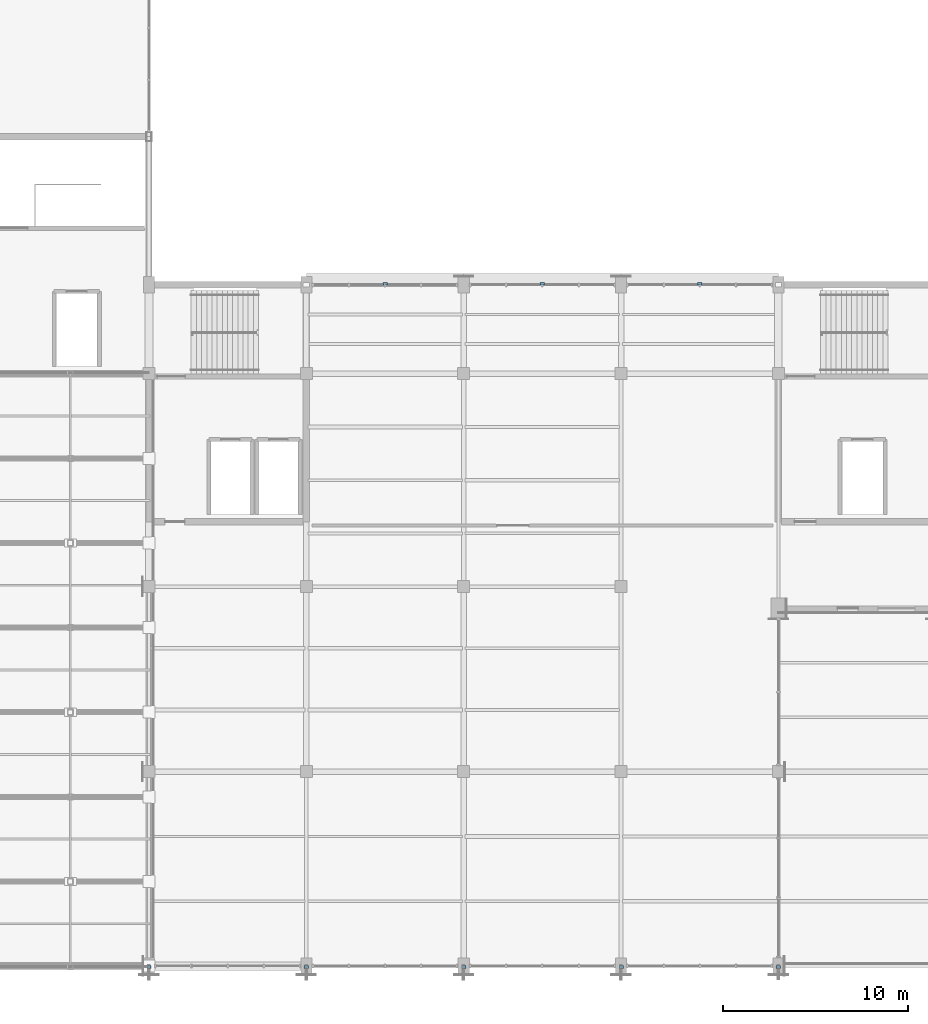
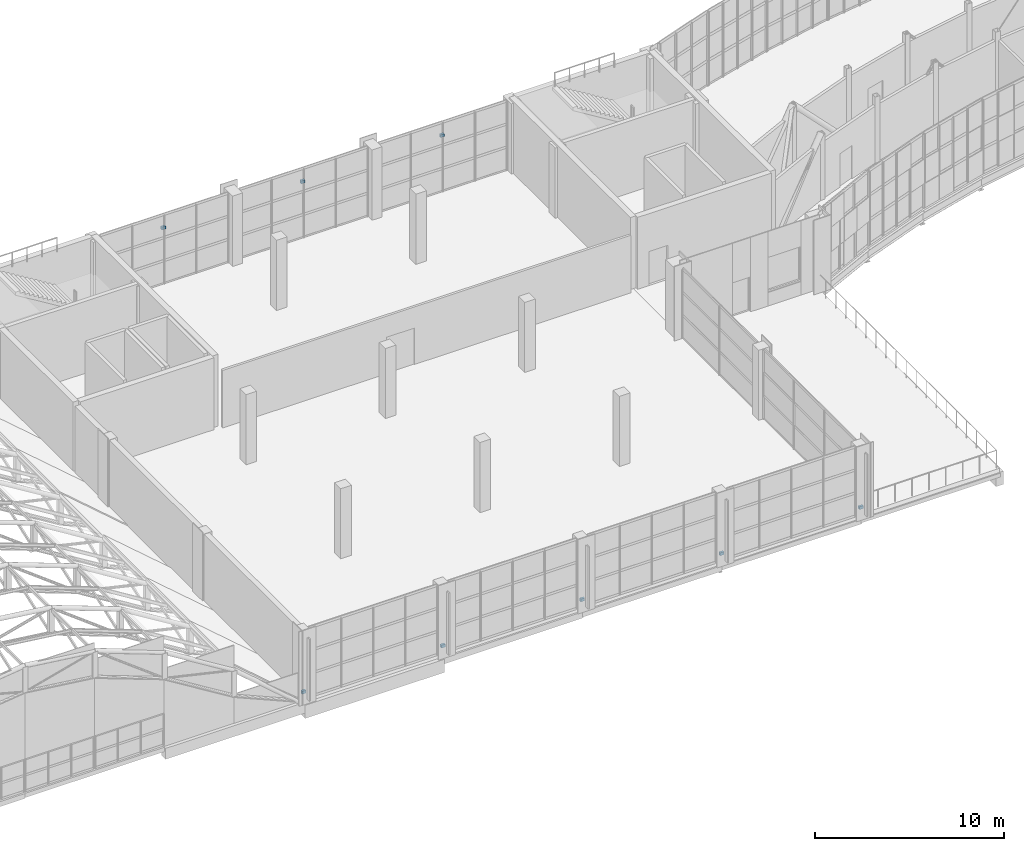
# One storey, part 74 of 86: 8 discrete accessories.
"""IFC4 building model written with IfcOpenShell, lengths in metres."""

from ifc_helpers import new_model, si_unit, direction, frame, origin, origin_2d, place, context, subcontext, project, spatial, rectangle, extrude, material, type_object, element, save


model = new_model("IFC4")

# Units and contexts
model_context = context("Model", 3, precision=1e-05, world=origin(), true_north=direction((0.0, 1.0)))
body_context = subcontext(model_context, "Body", "Model", "MODEL_VIEW")
ifc_project = project(units=[si_unit("LENGTHUNIT", "METRE"), si_unit("AREAUNIT", "SQUARE_METRE"), si_unit("VOLUMEUNIT", "CUBIC_METRE"), si_unit("PLANEANGLEUNIT", "RADIAN"), si_unit("MASSUNIT", "GRAM", prefix="KILO")], contexts=[model_context])

# Site, building, storey
site_placement = place(None, origin())
site = spatial("IfcSite", under=ifc_project, at=site_placement, CompositionType="ELEMENT")
building_placement = place(site_placement, origin())
building = spatial("IfcBuilding", under=site, at=building_placement, Name="Solvikara Media Centre", CompositionType="ELEMENT")
storey_placement = place(building_placement, frame((0.0, 0.0, 15.0)))
storey = spatial("IfcBuildingStorey", under=building, at=storey_placement, Name="L03", CompositionType="ELEMENT", Elevation=15.0)

# Discrete accessories
ifc_material = material(Name="Steel S355JR", Category="steel")
discrete_accessory_type = type_object("IfcDiscreteAccessoryType", Name="BK-01", PredefinedType="BRACKET", material=ifc_material)
for number, where, z_axis, x_axis, name in (
    (1, (34.0, -0.050048828125, 0.41015625), (0.0, 0.0, 1.0), (1.0, 0.0, 0.0), "BK-L03-011"),
    (2, (42.5, -0.050048828125, 0.41015625), (0.0, 0.0, 1.0), (1.0, 0.0, 0.0), "BK-L03-012"),
    (3, (51.0, -0.050048828125, 0.41015625), (0.0, 0.0, 1.0), (1.0, 0.0, 0.0), "BK-L03-013"),
    (4, (59.5, -0.050048828125, 0.41015625), (0.0, 0.0, 1.0), (1.0, 0.0, 0.0), "BK-L03-014"),
    (5, (68.0, -0.050048828125, 0.41015625), (0.0, 0.0, 1.0), (1.0, 0.0, 0.0), "BK-L03-015"),
    (6, (46.75, 36.85009765625, 3.51025390625), (0.0, 0.0, 1.0), (1.0, 0.0, 0.0), "BKL-L03-010"),
    (7, (55.25, 36.85009765625, 3.51025390625), (0.0, 0.0, 1.0), (1.0, 0.0, 0.0), "BKL-L03-011"),
    (8, (63.75, 36.85009765625, 3.51025390625), (0.0, 0.0, 1.0), (1.0, 0.0, 0.0), "BKL-L03-012"),
):
    element("IfcDiscreteAccessory", number, at=place(storey_placement, frame(where, z_axis=z_axis, x_axis=x_axis)), inside=storey, type_object=discrete_accessory_type, Name=name, PredefinedType="BRACKET", context=body_context, shape_type="SweptSolid", body=[
        extrude(rectangle(XDim=0.239990234375, YDim=0.139892578125, at=origin_2d()), origin(), (0.0, 0.0, 1.0), 0.179931640625),
    ])

save(model, "model.ifc")
